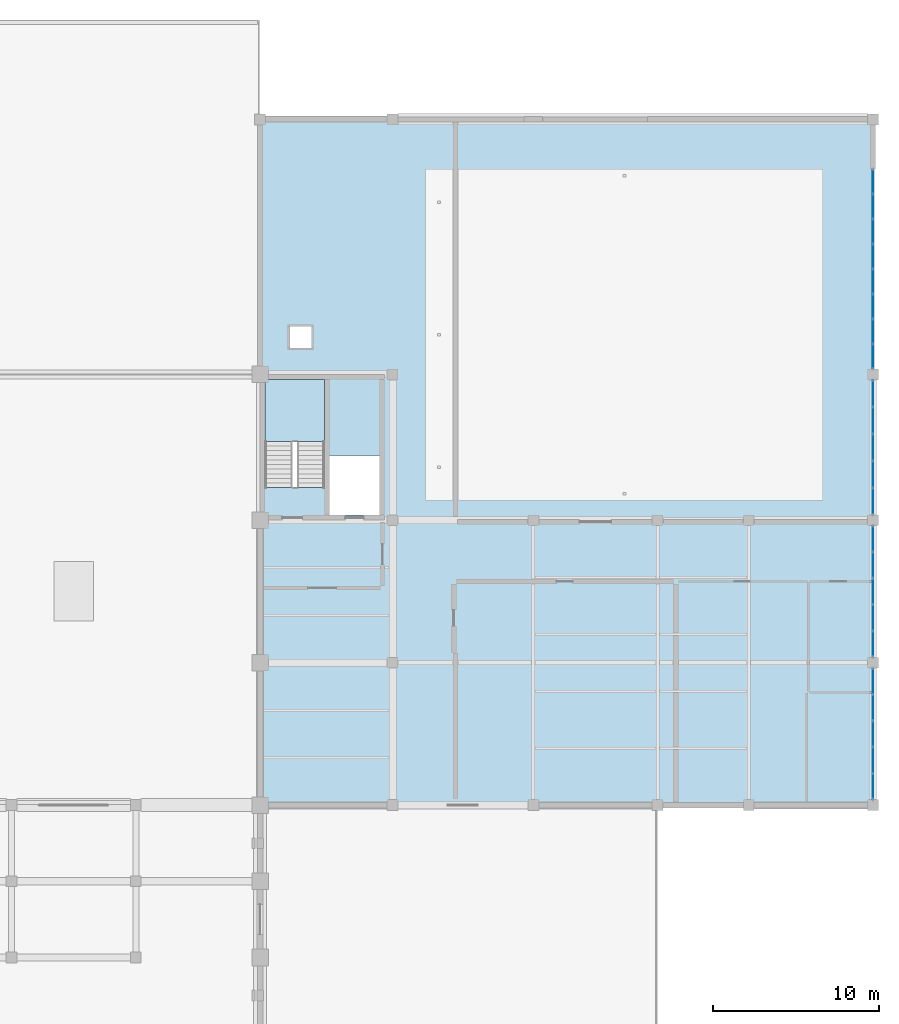
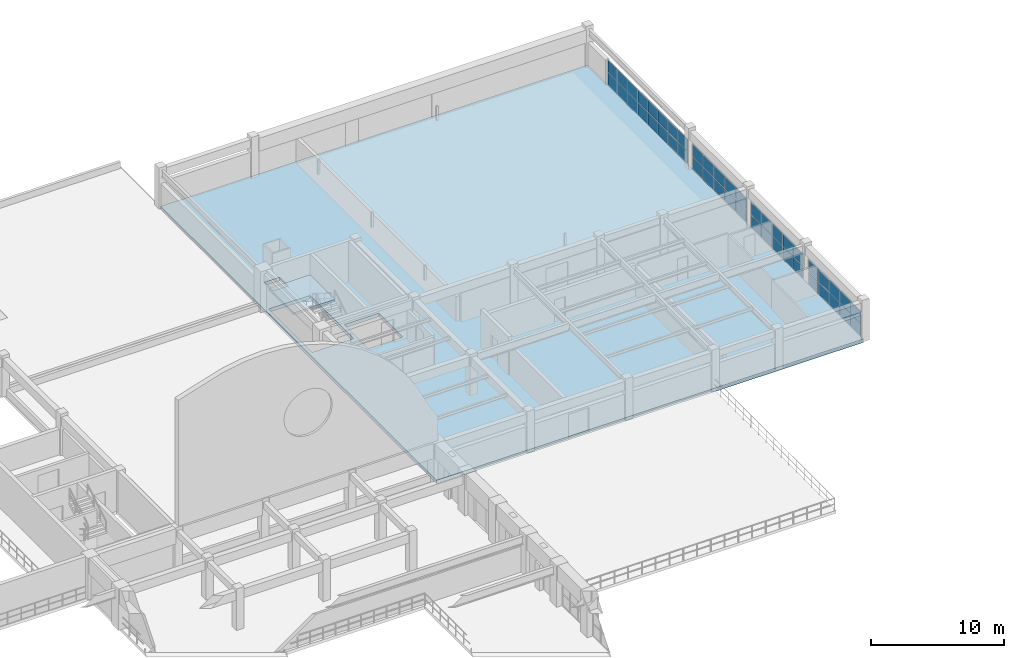
# One storey, part 48 of 74: 46 plates, 2 slabs, 5 elements without a shape of their own.
"""IFC4 building model written with IfcOpenShell, lengths in metres."""

from ifc_helpers import new_model, si_unit, direction, frame, origin, origin_2d, place, context, subcontext, project, spatial, polyline, rectangle, outline, extrude, material, layer, layer_set, type_object, element, aggregate, save


model = new_model("IFC4")

# Units and contexts
model_context = context("Model", 3, precision=1e-05, world=origin(), true_north=direction((0.0, 1.0)))
body_context = subcontext(model_context, "Body", "Model", "MODEL_VIEW")
ifc_project = project(units=[si_unit("LENGTHUNIT", "METRE"), si_unit("AREAUNIT", "SQUARE_METRE"), si_unit("VOLUMEUNIT", "CUBIC_METRE"), si_unit("PLANEANGLEUNIT", "RADIAN"), si_unit("MASSUNIT", "GRAM", prefix="KILO")], contexts=[model_context])

# Site, building, storey
site_placement = place(None, origin())
site = spatial("IfcSite", under=ifc_project, at=site_placement, CompositionType="ELEMENT")
building_placement = place(site_placement, origin())
building = spatial("IfcBuilding", under=site, at=building_placement, Name="Muzn Square Opera House", CompositionType="ELEMENT")
storey_placement = place(building_placement, frame((0.0, 0.0, 14.199951171875)))
storey = spatial("IfcBuildingStorey", under=building, at=storey_placement, Name="L03", CompositionType="ELEMENT", Elevation=14.199951171875)

# Curtain wall, plates
ifc_material_1 = material(Name="Low-E laminated acoustic double glazing", Category="glass")
ifc_layer_1 = layer(ifc_material_1, 0.159912109375, Name="Low-E laminated acoustic double glazing", Category="glass")
ifc_layer_set_1 = layer_set([ifc_layer_1], Name="Low-E laminated acoustic double glazing")
curtain_wall_type_1 = type_object("IfcCurtainWallType", Name="Glazed Curtain Wall RehearsalEast 7950x2350", PredefinedType="USERDEFINED", material=ifc_layer_set_1)
curtain_wall_1_placement = place(storey_placement, origin())
curtain_wall_1 = element("IfcCurtainWall", 1, at=curtain_wall_1_placement, inside=storey, type_object=curtain_wall_type_1, Name="Glazed Curtain Wall CW-L03-126", ObjectType="GLAZED CURTAIN WALL", PredefinedType="USERDEFINED")
ifc_layer_2 = layer(ifc_material_1, 0.028076171875, Name="Low-E laminated acoustic double glazing", Category="glass")
ifc_layer_set_2 = layer_set([ifc_layer_2], Name="Low-E laminated acoustic double glazing")
plate_type = type_object("IfcPlateType", Name="Curtain Wall Acoustic Glazed Panel 28mm", PredefinedType="CURTAIN_PANEL", material=ifc_layer_set_2)
plate_1_placement = place(storey_placement, frame((170.0, 73.735107421875, 0.06005859375), z_axis=(0.0, 0.0, 1.0), x_axis=(0.0, 1.0, 0.0)))
plate_1 = element("IfcPlate", 2, at=plate_1_placement, type_object=plate_type, Name="CW-RHE-79x23 panel 1.1", PredefinedType="CURTAIN_PANEL", context=body_context, shape_type="SweptSolid", body=[
    extrude(rectangle(XDim=1.5, YDim=0.028076171875, at=origin_2d()), origin(), (0.0, 0.0, 1.0), 1.0849609375),
])
plate_2_placement = place(storey_placement, frame((170.0, 73.735107421875, 1.205078125), z_axis=(0.0, 0.0, 1.0), x_axis=(0.0, 1.0, 0.0)))
plate_2 = element("IfcPlate", 3, at=plate_2_placement, type_object=plate_type, Name="CW-RHE-79x23 panel 1.2", PredefinedType="CURTAIN_PANEL", context=body_context, shape_type="SweptSolid", body=[
    extrude(rectangle(XDim=1.5, YDim=0.028076171875, at=origin_2d()), origin(), (0.0, 0.0, 1.0), 1.0849609375),
])
plate_3_placement = place(storey_placement, frame((170.0, 75.31005859375, 0.06005859375), z_axis=(0.0, 0.0, 1.0), x_axis=(0.0, 1.0, 0.0)))
plate_3 = element("IfcPlate", 4, at=plate_3_placement, type_object=plate_type, Name="CW-RHE-79x23 panel 2.1", PredefinedType="CURTAIN_PANEL", context=body_context, shape_type="SweptSolid", body=[
    extrude(rectangle(XDim=1.530029296875, YDim=0.028076171875, at=origin_2d()), origin(), (0.0, 0.0, 1.0), 1.0849609375),
])
plate_4_placement = place(storey_placement, frame((170.0, 75.31005859375, 1.205078125), z_axis=(0.0, 0.0, 1.0), x_axis=(0.0, 1.0, 0.0)))
plate_4 = element("IfcPlate", 5, at=plate_4_placement, type_object=plate_type, Name="CW-RHE-79x23 panel 2.2", PredefinedType="CURTAIN_PANEL", context=body_context, shape_type="SweptSolid", body=[
    extrude(rectangle(XDim=1.530029296875, YDim=0.028076171875, at=origin_2d()), origin(), (0.0, 0.0, 1.0), 1.0849609375),
])
plate_5_placement = place(storey_placement, frame((170.0, 76.89990234375, 0.06005859375), z_axis=(0.0, 0.0, 1.0), x_axis=(0.0, 1.0, 0.0)))
plate_5 = element("IfcPlate", 6, at=plate_5_placement, type_object=plate_type, Name="CW-RHE-79x23 panel 3.1", PredefinedType="CURTAIN_PANEL", context=body_context, shape_type="SweptSolid", body=[
    extrude(rectangle(XDim=1.530029296875, YDim=0.028076171875, at=origin_2d()), origin(), (0.0, 0.0, 1.0), 1.0849609375),
])
plate_6_placement = place(storey_placement, frame((170.0, 76.89990234375, 1.205078125), z_axis=(0.0, 0.0, 1.0), x_axis=(0.0, 1.0, 0.0)))
plate_6 = element("IfcPlate", 7, at=plate_6_placement, type_object=plate_type, Name="CW-RHE-79x23 panel 3.2", PredefinedType="CURTAIN_PANEL", context=body_context, shape_type="SweptSolid", body=[
    extrude(rectangle(XDim=1.530029296875, YDim=0.028076171875, at=origin_2d()), origin(), (0.0, 0.0, 1.0), 1.0849609375),
])
plate_7_placement = place(storey_placement, frame((170.0, 78.489990234375, 0.06005859375), z_axis=(0.0, 0.0, 1.0), x_axis=(0.0, 1.0, 0.0)))
plate_7 = element("IfcPlate", 8, at=plate_7_placement, type_object=plate_type, Name="CW-RHE-79x23 panel 4.1", PredefinedType="CURTAIN_PANEL", context=body_context, shape_type="SweptSolid", body=[
    extrude(rectangle(XDim=1.530029296875, YDim=0.028076171875, at=origin_2d()), origin(), (0.0, 0.0, 1.0), 1.0849609375),
])
plate_8_placement = place(storey_placement, frame((170.0, 78.489990234375, 1.205078125), z_axis=(0.0, 0.0, 1.0), x_axis=(0.0, 1.0, 0.0)))
plate_8 = element("IfcPlate", 9, at=plate_8_placement, type_object=plate_type, Name="CW-RHE-79x23 panel 4.2", PredefinedType="CURTAIN_PANEL", context=body_context, shape_type="SweptSolid", body=[
    extrude(rectangle(XDim=1.530029296875, YDim=0.028076171875, at=origin_2d()), origin(), (0.0, 0.0, 1.0), 1.0849609375),
])
plate_9_placement = place(storey_placement, frame((170.0, 80.06494140625, 0.06005859375), z_axis=(0.0, 0.0, 1.0), x_axis=(0.0, 1.0, 0.0)))
plate_9 = element("IfcPlate", 10, at=plate_9_placement, type_object=plate_type, Name="CW-RHE-79x23 panel 5.1", PredefinedType="CURTAIN_PANEL", context=body_context, shape_type="SweptSolid", body=[
    extrude(rectangle(XDim=1.5, YDim=0.028076171875, at=origin_2d()), origin(), (0.0, 0.0, 1.0), 1.0849609375),
])
plate_10_placement = place(storey_placement, frame((170.0, 80.06494140625, 1.205078125), z_axis=(0.0, 0.0, 1.0), x_axis=(0.0, 1.0, 0.0)))
plate_10 = element("IfcPlate", 11, at=plate_10_placement, type_object=plate_type, Name="CW-RHE-79x23 panel 5.2", PredefinedType="CURTAIN_PANEL", context=body_context, shape_type="SweptSolid", body=[
    extrude(rectangle(XDim=1.5, YDim=0.028076171875, at=origin_2d()), origin(), (0.0, 0.0, 1.0), 1.0849609375),
])
aggregate(curtain_wall_1, [plate_1, plate_2, plate_3, plate_4, plate_5, plate_6, plate_7, plate_8, plate_9, plate_10])

curtain_wall_2_placement = place(storey_placement, origin())
curtain_wall_2 = element("IfcCurtainWall", 12, at=curtain_wall_2_placement, inside=storey, type_object=curtain_wall_type_1, Name="Glazed Curtain Wall CW-L03-127", ObjectType="GLAZED CURTAIN WALL", PredefinedType="USERDEFINED")
plate_11_placement = place(storey_placement, frame((170.0, 82.3349609375, 0.06005859375), z_axis=(0.0, 0.0, 1.0), x_axis=(0.0, 1.0, 0.0)))
plate_11 = element("IfcPlate", 13, at=plate_11_placement, type_object=plate_type, Name="CW-RHE-79x23 panel 1.1", PredefinedType="CURTAIN_PANEL", context=body_context, shape_type="SweptSolid", body=[
    extrude(rectangle(XDim=1.5, YDim=0.028076171875, at=origin_2d()), origin(), (0.0, 0.0, 1.0), 1.0849609375),
])
plate_12_placement = place(storey_placement, frame((170.0, 82.3349609375, 1.205078125), z_axis=(0.0, 0.0, 1.0), x_axis=(0.0, 1.0, 0.0)))
plate_12 = element("IfcPlate", 14, at=plate_12_placement, type_object=plate_type, Name="CW-RHE-79x23 panel 1.2", PredefinedType="CURTAIN_PANEL", context=body_context, shape_type="SweptSolid", body=[
    extrude(rectangle(XDim=1.5, YDim=0.028076171875, at=origin_2d()), origin(), (0.0, 0.0, 1.0), 1.0849609375),
])
plate_13_placement = place(storey_placement, frame((170.0, 83.909912109375, 0.06005859375), z_axis=(0.0, 0.0, 1.0), x_axis=(0.0, 1.0, 0.0)))
plate_13 = element("IfcPlate", 15, at=plate_13_placement, type_object=plate_type, Name="CW-RHE-79x23 panel 2.1", PredefinedType="CURTAIN_PANEL", context=body_context, shape_type="SweptSolid", body=[
    extrude(rectangle(XDim=1.530029296875, YDim=0.028076171875, at=origin_2d()), origin(), (0.0, 0.0, 1.0), 1.0849609375),
])
plate_14_placement = place(storey_placement, frame((170.0, 83.909912109375, 1.205078125), z_axis=(0.0, 0.0, 1.0), x_axis=(0.0, 1.0, 0.0)))
plate_14 = element("IfcPlate", 16, at=plate_14_placement, type_object=plate_type, Name="CW-RHE-79x23 panel 2.2", PredefinedType="CURTAIN_PANEL", context=body_context, shape_type="SweptSolid", body=[
    extrude(rectangle(XDim=1.530029296875, YDim=0.028076171875, at=origin_2d()), origin(), (0.0, 0.0, 1.0), 1.0849609375),
])
plate_15_placement = place(storey_placement, frame((170.0, 85.5, 0.06005859375), z_axis=(0.0, 0.0, 1.0), x_axis=(0.0, 1.0, 0.0)))
plate_15 = element("IfcPlate", 17, at=plate_15_placement, type_object=plate_type, Name="CW-RHE-79x23 panel 3.1", PredefinedType="CURTAIN_PANEL", context=body_context, shape_type="SweptSolid", body=[
    extrude(rectangle(XDim=1.530029296875, YDim=0.028076171875, at=origin_2d()), origin(), (0.0, 0.0, 1.0), 1.0849609375),
])
plate_16_placement = place(storey_placement, frame((170.0, 85.5, 1.205078125), z_axis=(0.0, 0.0, 1.0), x_axis=(0.0, 1.0, 0.0)))
plate_16 = element("IfcPlate", 18, at=plate_16_placement, type_object=plate_type, Name="CW-RHE-79x23 panel 3.2", PredefinedType="CURTAIN_PANEL", context=body_context, shape_type="SweptSolid", body=[
    extrude(rectangle(XDim=1.530029296875, YDim=0.028076171875, at=origin_2d()), origin(), (0.0, 0.0, 1.0), 1.0849609375),
])
plate_17_placement = place(storey_placement, frame((170.0, 87.090087890625, 0.06005859375), z_axis=(0.0, 0.0, 1.0), x_axis=(0.0, 1.0, 0.0)))
plate_17 = element("IfcPlate", 19, at=plate_17_placement, type_object=plate_type, Name="CW-RHE-79x23 panel 4.1", PredefinedType="CURTAIN_PANEL", context=body_context, shape_type="SweptSolid", body=[
    extrude(rectangle(XDim=1.530029296875, YDim=0.028076171875, at=origin_2d()), origin(), (0.0, 0.0, 1.0), 1.0849609375),
])
plate_18_placement = place(storey_placement, frame((170.0, 87.090087890625, 1.205078125), z_axis=(0.0, 0.0, 1.0), x_axis=(0.0, 1.0, 0.0)))
plate_18 = element("IfcPlate", 20, at=plate_18_placement, type_object=plate_type, Name="CW-RHE-79x23 panel 4.2", PredefinedType="CURTAIN_PANEL", context=body_context, shape_type="SweptSolid", body=[
    extrude(rectangle(XDim=1.530029296875, YDim=0.028076171875, at=origin_2d()), origin(), (0.0, 0.0, 1.0), 1.0849609375),
])
plate_19_placement = place(storey_placement, frame((170.0, 88.6650390625, 0.06005859375), z_axis=(0.0, 0.0, 1.0), x_axis=(0.0, 1.0, 0.0)))
plate_19 = element("IfcPlate", 21, at=plate_19_placement, type_object=plate_type, Name="CW-RHE-79x23 panel 5.1", PredefinedType="CURTAIN_PANEL", context=body_context, shape_type="SweptSolid", body=[
    extrude(rectangle(XDim=1.5, YDim=0.028076171875, at=origin_2d()), origin(), (0.0, 0.0, 1.0), 1.0849609375),
])
plate_20_placement = place(storey_placement, frame((170.0, 88.6650390625, 1.205078125), z_axis=(0.0, 0.0, 1.0), x_axis=(0.0, 1.0, 0.0)))
plate_20 = element("IfcPlate", 22, at=plate_20_placement, type_object=plate_type, Name="CW-RHE-79x23 panel 5.2", PredefinedType="CURTAIN_PANEL", context=body_context, shape_type="SweptSolid", body=[
    extrude(rectangle(XDim=1.5, YDim=0.028076171875, at=origin_2d()), origin(), (0.0, 0.0, 1.0), 1.0849609375),
])
aggregate(curtain_wall_2, [plate_11, plate_12, plate_13, plate_14, plate_15, plate_16, plate_17, plate_18, plate_19, plate_20])

ifc_layer_3 = layer(ifc_material_1, 0.159912109375, Name="Low-E laminated acoustic double glazing", Category="glass")
ifc_layer_set_3 = layer_set([ifc_layer_3], Name="Low-E laminated acoustic double glazing")
curtain_wall_type_2 = type_object("IfcCurtainWallType", Name="Glazed Curtain Wall RehearsalEast 8150x2350", PredefinedType="USERDEFINED", material=ifc_layer_set_3)
curtain_wall_3_placement = place(storey_placement, origin())
curtain_wall_3 = element("IfcCurtainWall", 23, at=curtain_wall_3_placement, inside=storey, type_object=curtain_wall_type_2, Name="Glazed Curtain Wall CW-L03-128", ObjectType="GLAZED CURTAIN WALL", PredefinedType="USERDEFINED")
plate_21_placement = place(storey_placement, frame((170.0, 90.955078125, 0.06005859375), z_axis=(0.0, 0.0, 1.0), x_axis=(0.0, 1.0, 0.0)))
plate_21 = element("IfcPlate", 24, at=plate_21_placement, type_object=plate_type, Name="CW-RHE-81x23 panel 1.1", PredefinedType="CURTAIN_PANEL", context=body_context, shape_type="SweptSolid", body=[
    extrude(rectangle(XDim=1.5400390625, YDim=0.028076171875, at=origin_2d()), origin(), (0.0, 0.0, 1.0), 1.0849609375),
])
plate_22_placement = place(storey_placement, frame((170.0, 90.955078125, 1.205078125), z_axis=(0.0, 0.0, 1.0), x_axis=(0.0, 1.0, 0.0)))
plate_22 = element("IfcPlate", 25, at=plate_22_placement, type_object=plate_type, Name="CW-RHE-81x23 panel 1.2", PredefinedType="CURTAIN_PANEL", context=body_context, shape_type="SweptSolid", body=[
    extrude(rectangle(XDim=1.5400390625, YDim=0.028076171875, at=origin_2d()), origin(), (0.0, 0.0, 1.0), 1.0849609375),
])
plate_23_placement = place(storey_placement, frame((170.0, 92.570068359375, 0.06005859375), z_axis=(0.0, 0.0, 1.0), x_axis=(0.0, 1.0, 0.0)))
plate_23 = element("IfcPlate", 26, at=plate_23_placement, type_object=plate_type, Name="CW-RHE-81x23 panel 2.1", PredefinedType="CURTAIN_PANEL", context=body_context, shape_type="SweptSolid", body=[
    extrude(rectangle(XDim=1.570068359375, YDim=0.028076171875, at=origin_2d()), origin(), (0.0, 0.0, 1.0), 1.0849609375),
])
plate_24_placement = place(storey_placement, frame((170.0, 92.570068359375, 1.205078125), z_axis=(0.0, 0.0, 1.0), x_axis=(0.0, 1.0, 0.0)))
plate_24 = element("IfcPlate", 27, at=plate_24_placement, type_object=plate_type, Name="CW-RHE-81x23 panel 2.2", PredefinedType="CURTAIN_PANEL", context=body_context, shape_type="SweptSolid", body=[
    extrude(rectangle(XDim=1.570068359375, YDim=0.028076171875, at=origin_2d()), origin(), (0.0, 0.0, 1.0), 1.0849609375),
])
plate_25_placement = place(storey_placement, frame((170.0, 94.199951171875, 0.06005859375), z_axis=(0.0, 0.0, 1.0), x_axis=(0.0, 1.0, 0.0)))
plate_25 = element("IfcPlate", 28, at=plate_25_placement, type_object=plate_type, Name="CW-RHE-81x23 panel 3.1", PredefinedType="CURTAIN_PANEL", context=body_context, shape_type="SweptSolid", body=[
    extrude(rectangle(XDim=1.570068359375, YDim=0.028076171875, at=origin_2d()), origin(), (0.0, 0.0, 1.0), 1.0849609375),
])
plate_26_placement = place(storey_placement, frame((170.0, 94.199951171875, 1.205078125), z_axis=(0.0, 0.0, 1.0), x_axis=(0.0, 1.0, 0.0)))
plate_26 = element("IfcPlate", 29, at=plate_26_placement, type_object=plate_type, Name="CW-RHE-81x23 panel 3.2", PredefinedType="CURTAIN_PANEL", context=body_context, shape_type="SweptSolid", body=[
    extrude(rectangle(XDim=1.570068359375, YDim=0.028076171875, at=origin_2d()), origin(), (0.0, 0.0, 1.0), 1.0849609375),
])
plate_27_placement = place(storey_placement, frame((170.0, 95.830078125, 0.06005859375), z_axis=(0.0, 0.0, 1.0), x_axis=(0.0, 1.0, 0.0)))
plate_27 = element("IfcPlate", 30, at=plate_27_placement, type_object=plate_type, Name="CW-RHE-81x23 panel 4.1", PredefinedType="CURTAIN_PANEL", context=body_context, shape_type="SweptSolid", body=[
    extrude(rectangle(XDim=1.570068359375, YDim=0.028076171875, at=origin_2d()), origin(), (0.0, 0.0, 1.0), 1.0849609375),
])
plate_28_placement = place(storey_placement, frame((170.0, 95.830078125, 1.205078125), z_axis=(0.0, 0.0, 1.0), x_axis=(0.0, 1.0, 0.0)))
plate_28 = element("IfcPlate", 31, at=plate_28_placement, type_object=plate_type, Name="CW-RHE-81x23 panel 4.2", PredefinedType="CURTAIN_PANEL", context=body_context, shape_type="SweptSolid", body=[
    extrude(rectangle(XDim=1.570068359375, YDim=0.028076171875, at=origin_2d()), origin(), (0.0, 0.0, 1.0), 1.0849609375),
])
plate_29_placement = place(storey_placement, frame((170.0, 97.445068359375, 0.06005859375), z_axis=(0.0, 0.0, 1.0), x_axis=(0.0, 1.0, 0.0)))
plate_29 = element("IfcPlate", 32, at=plate_29_placement, type_object=plate_type, Name="CW-RHE-81x23 panel 5.1", PredefinedType="CURTAIN_PANEL", context=body_context, shape_type="SweptSolid", body=[
    extrude(rectangle(XDim=1.5400390625, YDim=0.028076171875, at=origin_2d()), origin(), (0.0, 0.0, 1.0), 1.0849609375),
])
plate_30_placement = place(storey_placement, frame((170.0, 97.445068359375, 1.205078125), z_axis=(0.0, 0.0, 1.0), x_axis=(0.0, 1.0, 0.0)))
plate_30 = element("IfcPlate", 33, at=plate_30_placement, type_object=plate_type, Name="CW-RHE-81x23 panel 5.2", PredefinedType="CURTAIN_PANEL", context=body_context, shape_type="SweptSolid", body=[
    extrude(rectangle(XDim=1.5400390625, YDim=0.028076171875, at=origin_2d()), origin(), (0.0, 0.0, 1.0), 1.0849609375),
])
aggregate(curtain_wall_3, [plate_21, plate_22, plate_23, plate_24, plate_25, plate_26, plate_27, plate_28, plate_29, plate_30])

ifc_layer_4 = layer(ifc_material_1, 0.159912109375, Name="Low-E laminated acoustic double glazing", Category="glass")
ifc_layer_set_4 = layer_set([ifc_layer_4], Name="Low-E laminated acoustic double glazing")
curtain_wall_type_3 = type_object("IfcCurtainWallType", Name="Glazed Curtain Wall RehearsalEast 12075x2350", PredefinedType="USERDEFINED", material=ifc_layer_set_4)
curtain_wall_4_placement = place(storey_placement, origin())
curtain_wall_4 = element("IfcCurtainWall", 34, at=curtain_wall_4_placement, inside=storey, type_object=curtain_wall_type_3, Name="Glazed Curtain Wall CW-L03-129", ObjectType="GLAZED CURTAIN WALL", PredefinedType="USERDEFINED")
plate_31_placement = place(storey_placement, frame((170.0, 99.694580078125, 0.06005859375), z_axis=(0.0, 0.0, 1.0), x_axis=(0.0, 1.0, 0.0)))
plate_31 = element("IfcPlate", 35, at=plate_31_placement, type_object=plate_type, Name="CW-RHE-120x23 panel 1.1", PredefinedType="CURTAIN_PANEL", context=body_context, shape_type="SweptSolid", body=[
    extrude(rectangle(XDim=1.41943359375, YDim=0.028076171875, at=origin_2d()), origin(), (0.0, 0.0, 1.0), 1.0849609375),
])
plate_32_placement = place(storey_placement, frame((170.0, 99.694580078125, 1.205078125), z_axis=(0.0, 0.0, 1.0), x_axis=(0.0, 1.0, 0.0)))
plate_32 = element("IfcPlate", 36, at=plate_32_placement, type_object=plate_type, Name="CW-RHE-120x23 panel 1.2", PredefinedType="CURTAIN_PANEL", context=body_context, shape_type="SweptSolid", body=[
    extrude(rectangle(XDim=1.41943359375, YDim=0.028076171875, at=origin_2d()), origin(), (0.0, 0.0, 1.0), 1.0849609375),
])
plate_33_placement = place(storey_placement, frame((170.0, 101.18896484375, 0.06005859375), z_axis=(0.0, 0.0, 1.0), x_axis=(0.0, 1.0, 0.0)))
plate_33 = element("IfcPlate", 37, at=plate_33_placement, type_object=plate_type, Name="CW-RHE-120x23 panel 2.1", PredefinedType="CURTAIN_PANEL", context=body_context, shape_type="SweptSolid", body=[
    extrude(rectangle(XDim=1.449462890625, YDim=0.028076171875, at=origin_2d()), origin(), (0.0, 0.0, 1.0), 1.0849609375),
])
plate_34_placement = place(storey_placement, frame((170.0, 101.18896484375, 1.205078125), z_axis=(0.0, 0.0, 1.0), x_axis=(0.0, 1.0, 0.0)))
plate_34 = element("IfcPlate", 38, at=plate_34_placement, type_object=plate_type, Name="CW-RHE-120x23 panel 2.2", PredefinedType="CURTAIN_PANEL", context=body_context, shape_type="SweptSolid", body=[
    extrude(rectangle(XDim=1.449462890625, YDim=0.028076171875, at=origin_2d()), origin(), (0.0, 0.0, 1.0), 1.0849609375),
])
plate_35_placement = place(storey_placement, frame((170.0, 102.698486328125, 0.06005859375), z_axis=(0.0, 0.0, 1.0), x_axis=(0.0, 1.0, 0.0)))
plate_35 = element("IfcPlate", 39, at=plate_35_placement, type_object=plate_type, Name="CW-RHE-120x23 panel 3.1", PredefinedType="CURTAIN_PANEL", context=body_context, shape_type="SweptSolid", body=[
    extrude(rectangle(XDim=1.449462890625, YDim=0.028076171875, at=origin_2d()), origin(), (0.0, 0.0, 1.0), 1.0849609375),
])
plate_36_placement = place(storey_placement, frame((170.0, 102.698486328125, 1.205078125), z_axis=(0.0, 0.0, 1.0), x_axis=(0.0, 1.0, 0.0)))
plate_36 = element("IfcPlate", 40, at=plate_36_placement, type_object=plate_type, Name="CW-RHE-120x23 panel 3.2", PredefinedType="CURTAIN_PANEL", context=body_context, shape_type="SweptSolid", body=[
    extrude(rectangle(XDim=1.449462890625, YDim=0.028076171875, at=origin_2d()), origin(), (0.0, 0.0, 1.0), 1.0849609375),
])
plate_37_placement = place(storey_placement, frame((170.0, 104.207763671875, 0.06005859375), z_axis=(0.0, 0.0, 1.0), x_axis=(0.0, 1.0, 0.0)))
plate_37 = element("IfcPlate", 41, at=plate_37_placement, type_object=plate_type, Name="CW-RHE-120x23 panel 4.1", PredefinedType="CURTAIN_PANEL", context=body_context, shape_type="SweptSolid", body=[
    extrude(rectangle(XDim=1.449462890625, YDim=0.028076171875, at=origin_2d()), origin(), (0.0, 0.0, 1.0), 1.0849609375),
])
plate_38_placement = place(storey_placement, frame((170.0, 104.207763671875, 1.205078125), z_axis=(0.0, 0.0, 1.0), x_axis=(0.0, 1.0, 0.0)))
plate_38 = element("IfcPlate", 42, at=plate_38_placement, type_object=plate_type, Name="CW-RHE-120x23 panel 4.2", PredefinedType="CURTAIN_PANEL", context=body_context, shape_type="SweptSolid", body=[
    extrude(rectangle(XDim=1.449462890625, YDim=0.028076171875, at=origin_2d()), origin(), (0.0, 0.0, 1.0), 1.0849609375),
])
plate_39_placement = place(storey_placement, frame((170.0, 105.71728515625, 0.06005859375), z_axis=(0.0, 0.0, 1.0), x_axis=(0.0, 1.0, 0.0)))
plate_39 = element("IfcPlate", 43, at=plate_39_placement, type_object=plate_type, Name="CW-RHE-120x23 panel 5.1", PredefinedType="CURTAIN_PANEL", context=body_context, shape_type="SweptSolid", body=[
    extrude(rectangle(XDim=1.449462890625, YDim=0.028076171875, at=origin_2d()), origin(), (0.0, 0.0, 1.0), 1.0849609375),
])
plate_40_placement = place(storey_placement, frame((170.0, 105.71728515625, 1.205078125), z_axis=(0.0, 0.0, 1.0), x_axis=(0.0, 1.0, 0.0)))
plate_40 = element("IfcPlate", 44, at=plate_40_placement, type_object=plate_type, Name="CW-RHE-120x23 panel 5.2", PredefinedType="CURTAIN_PANEL", context=body_context, shape_type="SweptSolid", body=[
    extrude(rectangle(XDim=1.449462890625, YDim=0.028076171875, at=origin_2d()), origin(), (0.0, 0.0, 1.0), 1.0849609375),
])
plate_41_placement = place(storey_placement, frame((170.0, 107.2265625, 0.06005859375), z_axis=(0.0, 0.0, 1.0), x_axis=(0.0, 1.0, 0.0)))
plate_41 = element("IfcPlate", 45, at=plate_41_placement, type_object=plate_type, Name="CW-RHE-120x23 panel 6.1", PredefinedType="CURTAIN_PANEL", context=body_context, shape_type="SweptSolid", body=[
    extrude(rectangle(XDim=1.449462890625, YDim=0.028076171875, at=origin_2d()), origin(), (0.0, 0.0, 1.0), 1.0849609375),
])
plate_42_placement = place(storey_placement, frame((170.0, 107.2265625, 1.205078125), z_axis=(0.0, 0.0, 1.0), x_axis=(0.0, 1.0, 0.0)))
plate_42 = element("IfcPlate", 46, at=plate_42_placement, type_object=plate_type, Name="CW-RHE-120x23 panel 6.2", PredefinedType="CURTAIN_PANEL", context=body_context, shape_type="SweptSolid", body=[
    extrude(rectangle(XDim=1.449462890625, YDim=0.028076171875, at=origin_2d()), origin(), (0.0, 0.0, 1.0), 1.0849609375),
])
plate_43_placement = place(storey_placement, frame((170.0, 108.73583984375, 0.06005859375), z_axis=(0.0, 0.0, 1.0), x_axis=(0.0, 1.0, 0.0)))
plate_43 = element("IfcPlate", 47, at=plate_43_placement, type_object=plate_type, Name="CW-RHE-120x23 panel 7.1", PredefinedType="CURTAIN_PANEL", context=body_context, shape_type="SweptSolid", body=[
    extrude(rectangle(XDim=1.449462890625, YDim=0.028076171875, at=origin_2d()), origin(), (0.0, 0.0, 1.0), 1.0849609375),
])
plate_44_placement = place(storey_placement, frame((170.0, 108.73583984375, 1.205078125), z_axis=(0.0, 0.0, 1.0), x_axis=(0.0, 1.0, 0.0)))
plate_44 = element("IfcPlate", 48, at=plate_44_placement, type_object=plate_type, Name="CW-RHE-120x23 panel 7.2", PredefinedType="CURTAIN_PANEL", context=body_context, shape_type="SweptSolid", body=[
    extrude(rectangle(XDim=1.449462890625, YDim=0.028076171875, at=origin_2d()), origin(), (0.0, 0.0, 1.0), 1.0849609375),
])
plate_45_placement = place(storey_placement, frame((170.0, 110.230224609375, 0.06005859375), z_axis=(0.0, 0.0, 1.0), x_axis=(0.0, 1.0, 0.0)))
plate_45 = element("IfcPlate", 49, at=plate_45_placement, type_object=plate_type, Name="CW-RHE-120x23 panel 8.1", PredefinedType="CURTAIN_PANEL", context=body_context, shape_type="SweptSolid", body=[
    extrude(rectangle(XDim=1.41943359375, YDim=0.028076171875, at=origin_2d()), origin(), (0.0, 0.0, 1.0), 1.0849609375),
])
plate_46_placement = place(storey_placement, frame((170.0, 110.230224609375, 1.205078125), z_axis=(0.0, 0.0, 1.0), x_axis=(0.0, 1.0, 0.0)))
plate_46 = element("IfcPlate", 50, at=plate_46_placement, type_object=plate_type, Name="CW-RHE-120x23 panel 8.2", PredefinedType="CURTAIN_PANEL", context=body_context, shape_type="SweptSolid", body=[
    extrude(rectangle(XDim=1.41943359375, YDim=0.028076171875, at=origin_2d()), origin(), (0.0, 0.0, 1.0), 1.0849609375),
])
aggregate(curtain_wall_4, [plate_31, plate_32, plate_33, plate_34, plate_35, plate_36, plate_37, plate_38, plate_39, plate_40, plate_41, plate_42, plate_43, plate_44, plate_45, plate_46])

# Slab
ifc_material_2 = material(Name="Concrete C40/50", Category="concrete")
ifc_layer_5 = layer(ifc_material_2, 0.320068359375, Name="Concrete C40/50", Category="concrete")
ifc_layer_set_5 = layer_set([ifc_layer_5], Name="Concrete C40/50")
slab_type_1 = type_object("IfcSlabType", Name="Floor Slab 320mm", PredefinedType="FLOOR", material=ifc_layer_set_5)
slab_1_placement = place(storey_placement, frame((0.0, 0.0, -0.320068359375)))
element("IfcSlab", 51, at=slab_1_placement, inside=storey, type_object=slab_type_1, Name="Floor Slab SLB-L03-REHPAV", PredefinedType="FLOOR", context=body_context, shape_type="SweptSolid", body=[
    extrude(outline(polyline([(133.0, 72.60009765625), (170.0, 72.60009765625), (170.0, 114.0), (133.0, 114.0), (133.0, 72.60009765625)]), holes=[polyline([(133.300048828125, 91.76806640625), (136.89990234375, 91.76806640625), (136.89990234375, 98.300048828125), (133.300048828125, 98.300048828125), (133.300048828125, 91.76806640625)]), polyline([(137.199951171875, 90.10009765625), (140.199951171875, 90.10009765625), (140.199951171875, 93.699951171875), (137.199951171875, 93.699951171875), (137.199951171875, 90.10009765625)]), polyline([(134.800048828125, 100.199951171875), (136.10009765625, 100.199951171875), (136.10009765625, 101.5), (134.800048828125, 101.5), (134.800048828125, 100.199951171875)])]), origin(), (0.0, 0.0, 1.0), 0.320068359375),
])

# Stair, slab
stair_type = type_object("IfcStairType", Name="Core Escape Dogleg Stair", PredefinedType="HALF_TURN_STAIR", material=ifc_material_2)
stair_placement = place(storey_placement, origin())
stair = element("IfcStair", 52, at=stair_placement, inside=storey, type_object=stair_type, Name="L03 Escape Stair ST-5", PredefinedType="HALF_TURN_STAIR")
ifc_layer_6 = layer(ifc_material_2, 0.199951171875, Name="Concrete C40/50", Category="concrete")
ifc_layer_set_6 = layer_set([ifc_layer_6], Name="Concrete C40/50")
slab_type_2 = type_object("IfcSlabType", Name="Stair Half Landing 200mm", PredefinedType="LANDING", material=ifc_layer_set_6)
slab_2_placement = place(storey_placement, frame((0.0, 0.0, 1.699951171875)))
slab_2 = element("IfcSlab", 53, at=slab_2_placement, type_object=slab_type_2, Name="ST-5 landing 1", PredefinedType="LANDING", context=body_context, shape_type="SweptSolid", body=[
    extrude(outline(polyline([(136.89990234375, 94.56005859375), (136.89990234375, 98.300048828125), (133.300048828125, 98.300048828125), (133.300048828125, 94.56005859375), (136.89990234375, 94.56005859375)])), origin(), (0.0, 0.0, 1.0), 0.2001953125),
])
aggregate(stair, [slab_2])

save(model, "model.ifc")
